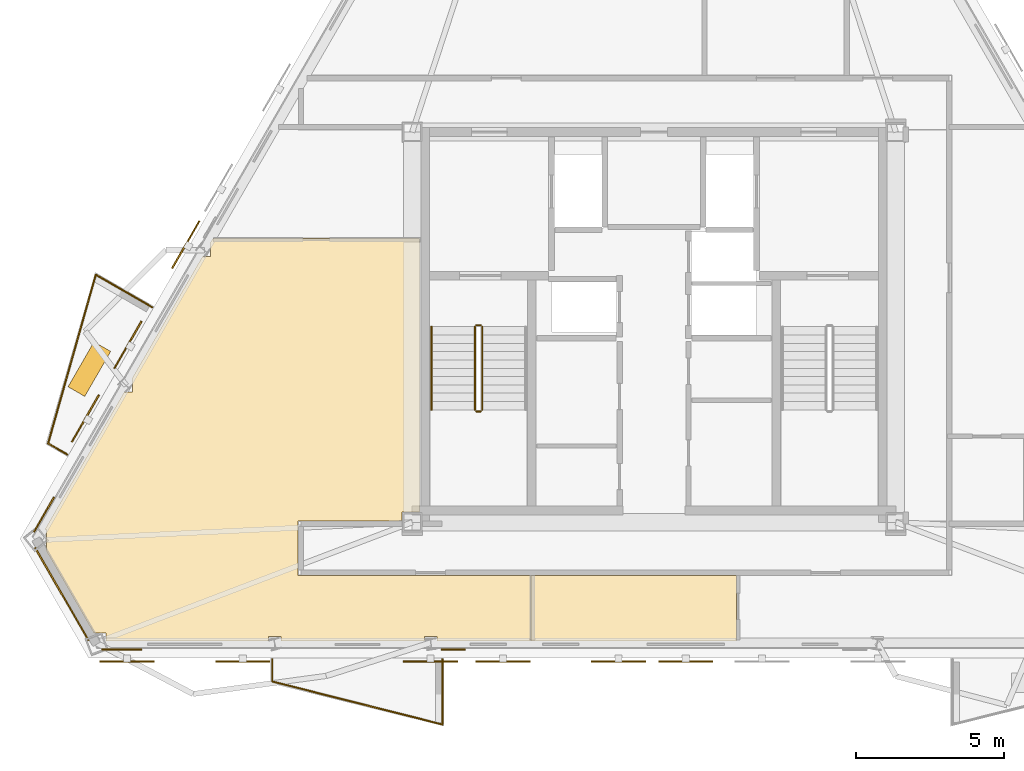
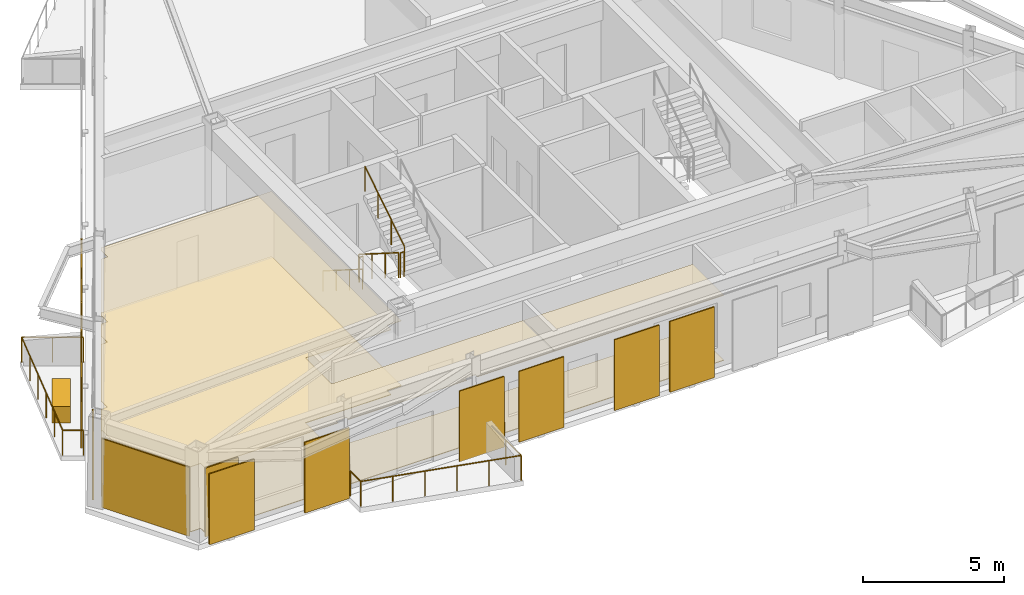
# One storey, part 6 of 9: 11 railings, 9 coverings, 9 shading devices.
"""IFC4 building model written with IfcOpenShell, lengths in metres."""

from ifc_helpers import new_model, si_unit, direction, frame, origin, origin_2d, place, context, subcontext, project, spatial, polyline, rectangle, circle, outline, extrude, material, layer, layer_set, type_object, element, save


model = new_model("IFC4")

# Units and contexts
model_context = context("Model", 3, precision=1e-05, world=origin(), true_north=direction((0.0, 1.0)))
body_context = subcontext(model_context, "Body", "Model", "MODEL_VIEW")
ifc_project = project(units=[si_unit("LENGTHUNIT", "METRE"), si_unit("AREAUNIT", "SQUARE_METRE"), si_unit("VOLUMEUNIT", "CUBIC_METRE"), si_unit("PLANEANGLEUNIT", "RADIAN"), si_unit("MASSUNIT", "GRAM", prefix="KILO")], contexts=[model_context])

# Site, building, storey
site_placement = place(None, origin())
site = spatial("IfcSite", under=ifc_project, at=site_placement, CompositionType="ELEMENT")
building_placement = place(site_placement, origin())
building = spatial("IfcBuilding", under=site, at=building_placement, Name="Oramaril Tower", CompositionType="ELEMENT")
storey_placement = place(building_placement, frame((0.0, 0.0, 292.800048828125)))
storey = spatial("IfcBuildingStorey", under=building, at=storey_placement, Name="L77", CompositionType="ELEMENT", Elevation=292.800048828125)

# Coverings
ifc_material_1 = material(Name="Mineral Fibre Acoustic Ceiling")
ifc_layer_1 = layer(ifc_material_1, 0.02001953125)
ifc_layer_set_1 = layer_set([ifc_layer_1], Name="CVT-CEIL")
covering_type_1 = type_object("IfcCoveringType", Name="CVT-CEIL", PredefinedType="CEILING", material=ifc_layer_set_1)
covering_1_placement = place(storey_placement, frame((0.0, 0.0, 2.81201171875)))
element("IfcCovering", 1, at=covering_1_placement, inside=storey, type_object=covering_type_1, Name="L77 Acoustic Suspended Ceiling 6", PredefinedType="CEILING", context=body_context, shape_type="SweptSolid", body=[
    extrude(outline(polyline([(33.35791015625, 6.99267578125), (33.35791015625, 9.199951171875), (40.27197265625, 9.199951171875), (40.27197265625, 6.99267578125), (33.35791015625, 6.99267578125)])), origin(), (0.0, 0.0, 1.0), 0.02001953125),
])
covering_2_placement = place(storey_placement, frame((0.0, 0.0, 2.81201171875)))
element("IfcCovering", 2, at=covering_2_placement, inside=storey, type_object=covering_type_1, Name="L77 Acoustic Suspended Ceiling 7", PredefinedType="CEILING", context=body_context, shape_type="SweptSolid", body=[
    extrude(outline(polyline([(19.91650390625, 15.3974609375), (19.91650390625, 15.851806640625), (19.912109375, 15.851806640625), (22.282958984375, 19.9580078125), (22.54931640625, 19.9580078125), (22.54931640625, 20.40673828125), (22.5419921875, 20.40673828125), (22.6298828125, 20.55908203125), (29.60009765625, 20.55908203125), (29.60009765625, 11.344970703125), (29.0048828125, 11.344970703125), (29.0048828125, 11.050048828125), (25.52001953125, 11.050048828125), (25.51806640625, 11.0498046875), (25.51611328125, 11.049560546875), (25.51416015625, 11.049072265625), (25.51220703125, 11.048583984375), (25.510498046875, 11.047607421875), (25.5087890625, 11.046630859375), (25.50732421875, 11.04541015625), (25.505859375, 11.044189453125), (25.50439453125, 11.042724609375), (25.50341796875, 11.041015625), (25.50244140625, 11.039306640625), (25.50146484375, 11.03759765625), (25.5009765625, 11.035888671875), (25.50048828125, 11.033935546875), (25.5, 11.031982421875), (25.5, 11.030029296875), (25.5, 9.219970703125), (25.5, 9.218017578125), (25.50048828125, 9.216064453125), (25.5009765625, 9.214111328125), (25.50146484375, 9.21240234375), (25.50244140625, 9.210693359375), (25.50341796875, 9.208984375), (25.50439453125, 9.207275390625), (25.505859375, 9.205810546875), (25.50732421875, 9.20458984375), (25.5087890625, 9.203369140625), (25.510498046875, 9.202392578125), (25.51220703125, 9.201416015625), (25.51416015625, 9.200927734375), (25.51611328125, 9.200439453125), (25.51806640625, 9.2001953125), (25.52001953125, 9.199951171875), (33.337890625, 9.199951171875), (33.337890625, 6.99267578125), (30.1923828125, 6.99267578125), (30.1923828125, 7.14794921875), (29.770751953125, 7.14794921875), (29.770751953125, 6.99267578125), (24.9326171875, 6.99267578125), (24.9326171875, 7.14794921875), (24.504638671875, 7.14794921875), (24.504638671875, 6.99267578125), (19.034912109375, 6.99267578125), (19.034912109375, 7.261474609375), (18.6220703125, 7.261474609375), (16.99951171875, 10.072021484375), (17.020751953125, 10.072021484375), (17.020751953125, 10.75927734375), (16.97216796875, 10.75927734375), (19.64990234375, 15.3974609375), (19.91650390625, 15.3974609375)])), origin(), (0.0, 0.0, 1.0), 0.02001953125),
])
ifc_material_2 = material(Name="Warm Cream Limestone", Category="masonry")
ifc_layer_2 = layer(ifc_material_2, 0.050048828125)
ifc_layer_set_2 = layer_set([ifc_layer_2], Name="CVT-CLD")
covering_type_2 = type_object("IfcCoveringType", Name="CVT-CLD", PredefinedType="CLADDING", material=ifc_layer_set_2)
covering_3_placement = place(storey_placement, frame((17.543212890625, 8.577880859375, 0.0400390625), z_axis=(0.0, 0.0, 1.0), x_axis=(0.4999984885, -0.866026276448, 0.0)))
element("IfcCovering", 3, at=covering_3_placement, inside=storey, type_object=covering_type_2, Name="L77 Warm Cream Limestone Cladding", PredefinedType="CLADDING", context=body_context, shape_type="SweptSolid", body=[
    extrude(rectangle(XDim=3.6044921875, YDim=0.050048828125, at=origin_2d()), origin(), (0.0, 0.0, 1.0), 2.97802734375),
])
covering_4_placement = place(storey_placement, frame((19.56494140625, 6.716552734375, 0.0400390625), z_axis=(0.0, 0.0, 1.0), x_axis=(1.0, 0.0, 0.0)))
element("IfcCovering", 4, at=covering_4_placement, inside=storey, type_object=covering_type_2, Name="L77 Warm Cream Limestone Cladding", PredefinedType="CLADDING", context=body_context, shape_type="SweptSolid", body=[
    extrude(rectangle(XDim=1.35009765625, YDim=0.050048828125, at=origin_2d()), origin(), (0.0, 0.0, 1.0), 2.97802734375),
])
covering_5_placement = place(storey_placement, frame((30.7373046875, 6.716552734375, 0.0400390625), z_axis=(0.0, 0.0, 1.0), x_axis=(1.0, 0.0, 0.0)))
element("IfcCovering", 5, at=covering_5_placement, inside=storey, type_object=covering_type_2, Name="L77 Warm Cream Limestone Spandrel Cladding", PredefinedType="CLADDING", context=body_context, shape_type="SweptSolid", body=[
    extrude(rectangle(XDim=0.800048828125, YDim=0.050048828125, at=origin_2d()), origin(), (0.0, 0.0, 1.0), 0.679931640625),
])
covering_6_placement = place(storey_placement, frame((16.942138671875, 11.259521484375, 0.0400390625), z_axis=(0.0, 0.0, 1.0), x_axis=(-0.5, -0.866025403784, 0.0)))
element("IfcCovering", 6, at=covering_6_placement, inside=storey, type_object=covering_type_2, Name="L77 Warm Cream Limestone Cladding", PredefinedType="CLADDING", context=body_context, shape_type="SweptSolid", body=[
    extrude(rectangle(XDim=1.35009765625, YDim=0.050048828125, at=origin_2d()), origin(), (0.0, 0.0, 1.0), 2.97802734375),
])
covering_7_placement = place(storey_placement, frame((18.469482421875, 16.161865234375, 0.0), z_axis=(0.0, 0.0, 1.0), x_axis=(-0.5, -0.866025403784, 0.0)))
element("IfcCovering", 7, at=covering_7_placement, inside=storey, type_object=covering_type_2, Name="L77 Structural Tree Planter Box L77-BAL-NW2", PredefinedType="CLADDING", context=body_context, shape_type="SweptSolid", body=[
    extrude(rectangle(XDim=1.75, YDim=0.64990234375, at=origin_2d()), origin(), (0.0, 0.0, 1.0), 0.699951171875),
])
ifc_material_3 = material(Name="Honed Quartzite Stone Flooring", Category="masonry")
ifc_layer_3 = layer(ifc_material_3, 0.02490234375)
ifc_layer_set_3 = layer_set([ifc_layer_3], Name="CVT-FLR")
covering_type_3 = type_object("IfcCoveringType", Name="CVT-FLR", PredefinedType="FLOORING", material=ifc_layer_set_3)
covering_8_placement = place(storey_placement, origin())
element("IfcCovering", 8, at=covering_8_placement, inside=storey, type_object=covering_type_3, Name="L77 Honed Stone Floor Finish 6", PredefinedType="FLOORING", context=body_context, shape_type="SweptSolid", body=[
    extrude(outline(polyline([(33.35791015625, 6.99267578125), (33.35791015625, 9.199951171875), (40.27197265625, 9.199951171875), (40.27197265625, 6.99267578125), (33.35791015625, 6.99267578125)])), origin(), (0.0, 0.0, 1.0), 0.02490234375),
])
covering_9_placement = place(storey_placement, origin())
element("IfcCovering", 9, at=covering_9_placement, inside=storey, type_object=covering_type_3, Name="L77 Honed Stone Floor Finish 7", PredefinedType="FLOORING", context=body_context, shape_type="SweptSolid", body=[
    extrude(outline(polyline([(19.91650390625, 15.3974609375), (19.91650390625, 15.851806640625), (19.912109375, 15.851806640625), (22.282958984375, 19.9580078125), (22.54931640625, 19.9580078125), (22.54931640625, 20.40673828125), (22.5419921875, 20.40673828125), (22.6298828125, 20.55908203125), (29.60009765625, 20.55908203125), (29.60009765625, 11.344970703125), (29.0048828125, 11.344970703125), (29.0048828125, 11.050048828125), (25.52001953125, 11.050048828125), (25.51806640625, 11.0498046875), (25.51611328125, 11.049560546875), (25.51416015625, 11.049072265625), (25.51220703125, 11.048583984375), (25.510498046875, 11.047607421875), (25.5087890625, 11.046630859375), (25.50732421875, 11.04541015625), (25.505859375, 11.044189453125), (25.50439453125, 11.042724609375), (25.50341796875, 11.041015625), (25.50244140625, 11.039306640625), (25.50146484375, 11.03759765625), (25.5009765625, 11.035888671875), (25.50048828125, 11.033935546875), (25.5, 11.031982421875), (25.5, 11.030029296875), (25.5, 9.219970703125), (25.5, 9.218017578125), (25.50048828125, 9.216064453125), (25.5009765625, 9.214111328125), (25.50146484375, 9.21240234375), (25.50244140625, 9.210693359375), (25.50341796875, 9.208984375), (25.50439453125, 9.207275390625), (25.505859375, 9.205810546875), (25.50732421875, 9.20458984375), (25.5087890625, 9.203369140625), (25.510498046875, 9.202392578125), (25.51220703125, 9.201416015625), (25.51416015625, 9.200927734375), (25.51611328125, 9.200439453125), (25.51806640625, 9.2001953125), (25.52001953125, 9.199951171875), (33.337890625, 9.199951171875), (33.337890625, 6.99267578125), (30.1923828125, 6.99267578125), (30.1923828125, 7.14794921875), (29.770751953125, 7.14794921875), (29.770751953125, 6.99267578125), (24.9326171875, 6.99267578125), (24.9326171875, 7.14794921875), (24.504638671875, 7.14794921875), (24.504638671875, 6.99267578125), (19.034912109375, 6.99267578125), (19.034912109375, 7.261474609375), (18.6220703125, 7.261474609375), (16.99951171875, 10.072021484375), (17.020751953125, 10.072021484375), (17.020751953125, 10.75927734375), (16.97216796875, 10.75927734375), (19.64990234375, 15.3974609375), (19.91650390625, 15.3974609375)])), origin(), (0.0, 0.0, 1.0), 0.02490234375),
])

# Railings
ifc_material_4 = material(Name="Stainless Steel 316L", Category="steel")
railing_type_1 = type_object("IfcRailingType", Name="RLT-GRD", PredefinedType="GUARDRAIL", material=ifc_material_4)
railing_1_placement = place(storey_placement, frame((30.3642578125, 6.376708984375, 0.0)))
element("IfcRailing", 10, at=railing_1_placement, inside=storey, type_object=railing_type_1, Name="L77 Balcony Guardrail L77-BAL-S1.1", PredefinedType="GUARDRAIL", context=body_context, shape_type="SweptSolid", body=[
    extrude(circle(Radius=0.02392578125, at=origin_2d()), frame((0.0, 0.0, 1.076171875), z_axis=(0.0, -1.0, 0.0), x_axis=(1.0, 0.0, 0.0)), (0.0, 0.0, 1.0), 2.192138671875),
    extrude(circle(Radius=0.02099609375, at=origin_2d()), origin(), (0.0, 0.0, 1.0), 1.052001953125),
    extrude(circle(Radius=0.02099609375, at=origin_2d()), frame((0.0, -1.09619140625, 0.0)), (0.0, 0.0, 1.0), 1.052001953125),
    extrude(circle(Radius=0.02099609375, at=origin_2d()), frame((0.0, -2.192138671875, 0.0)), (0.0, 0.0, 1.0), 1.052001953125),
])
railing_2_placement = place(storey_placement, frame((30.3642578125, 4.1845703125, 0.0)))
element("IfcRailing", 11, at=railing_2_placement, inside=storey, type_object=railing_type_1, Name="L77 Balcony Guardrail L77-BAL-S1.2", PredefinedType="GUARDRAIL", context=body_context, shape_type="SweptSolid", body=[
    extrude(circle(Radius=0.02392578125, at=origin_2d()), frame((0.0, 0.0, 1.076171875), z_axis=(-0.969443611257, 0.245314256807, 0.0), x_axis=(-0.245314256807, -0.969443611257, 0.0)), (0.0, 0.0, 1.0), 5.91064453125),
    extrude(circle(Radius=0.02099609375, at=origin_2d()), origin(), (0.0, 0.0, 1.0), 1.052001953125),
    extrude(circle(Radius=0.02099609375, at=origin_2d()), frame((-1.14599609375, 0.2900390625, 0.0)), (0.0, 0.0, 1.0), 1.052001953125),
    extrude(circle(Radius=0.02099609375, at=origin_2d()), frame((-2.2919921875, 0.580078125, 0.0)), (0.0, 0.0, 1.0), 1.052001953125),
    extrude(circle(Radius=0.02099609375, at=origin_2d()), frame((-3.43798828125, 0.869873046875, 0.0)), (0.0, 0.0, 1.0), 1.052001953125),
    extrude(circle(Radius=0.02099609375, at=origin_2d()), frame((-4.583984375, 1.159912109375, 0.0)), (0.0, 0.0, 1.0), 1.052001953125),
    extrude(circle(Radius=0.02099609375, at=origin_2d()), frame((-5.72998046875, 1.449951171875, 0.0)), (0.0, 0.0, 1.0), 1.052001953125),
])
railing_3_placement = place(storey_placement, frame((24.63427734375, 5.634521484375, 0.0)))
element("IfcRailing", 12, at=railing_3_placement, inside=storey, type_object=railing_type_1, Name="L77 Balcony Guardrail L77-BAL-S1.3", PredefinedType="GUARDRAIL", context=body_context, shape_type="SweptSolid", body=[
    extrude(circle(Radius=0.02392578125, at=origin_2d()), frame((0.0, 0.0, 1.076171875), z_axis=(0.0, 1.0, 0.0), x_axis=(-1.0, 0.0, 0.0)), (0.0, 0.0, 1.0), 0.7421875),
    extrude(circle(Radius=0.02099609375, at=origin_2d()), origin(), (0.0, 0.0, 1.0), 1.052001953125),
    extrude(circle(Radius=0.02099609375, at=origin_2d()), frame((0.0, 0.7421875, 0.0)), (0.0, 0.0, 1.0), 1.052001953125),
])
railing_4_placement = place(storey_placement, frame((17.7197265625, 13.28662109375, 0.0)))
element("IfcRailing", 13, at=railing_4_placement, inside=storey, type_object=railing_type_1, Name="L77 Balcony Guardrail L77-BAL-NW2.1", PredefinedType="GUARDRAIL", context=body_context, shape_type="SweptSolid", body=[
    extrude(circle(Radius=0.02392578125, at=origin_2d()), frame((0.0, 0.0, 1.076171875), z_axis=(-0.865884080729, 0.500244698863, 0.0), x_axis=(-0.500244698863, -0.865884080729, 0.0)), (0.0, 0.0, 1.0), 0.741943359375),
    extrude(circle(Radius=0.02099609375, at=origin_2d()), origin(), (0.0, 0.0, 1.0), 1.052001953125),
    extrude(circle(Radius=0.02099609375, at=origin_2d()), frame((-0.642333984375, 0.37109375, 0.0)), (0.0, 0.0, 1.0), 1.052001953125),
])
railing_5_placement = place(storey_placement, frame((17.077392578125, 13.65771484375, 0.0)))
element("IfcRailing", 14, at=railing_5_placement, inside=storey, type_object=railing_type_1, Name="L77 Balcony Guardrail L77-BAL-NW2.2", PredefinedType="GUARDRAIL", context=body_context, shape_type="SweptSolid", body=[
    extrude(circle(Radius=0.02392578125, at=origin_2d()), frame((0.0, 0.0, 1.076171875), z_axis=(0.272259686627, 0.962223811303, 0.0), x_axis=(-0.962223811303, 0.272259686627, 0.0)), (0.0, 0.0, 1.0), 5.910400390625),
    extrude(circle(Radius=0.02099609375, at=origin_2d()), origin(), (0.0, 0.0, 1.0), 1.052001953125),
    extrude(circle(Radius=0.02099609375, at=origin_2d()), frame((0.32177734375, 1.137451171875, 0.0)), (0.0, 0.0, 1.0), 1.052001953125),
    extrude(circle(Radius=0.02099609375, at=origin_2d()), frame((0.6435546875, 2.27490234375, 0.0)), (0.0, 0.0, 1.0), 1.052001953125),
    extrude(circle(Radius=0.02099609375, at=origin_2d()), frame((0.965576171875, 3.412109375, 0.0)), (0.0, 0.0, 1.0), 1.052001953125),
    extrude(circle(Radius=0.02099609375, at=origin_2d()), frame((1.287353515625, 4.549560546875, 0.0)), (0.0, 0.0, 1.0), 1.052001953125),
    extrude(circle(Radius=0.02099609375, at=origin_2d()), frame((1.609130859375, 5.68701171875, 0.0)), (0.0, 0.0, 1.0), 1.052001953125),
])
railing_6_placement = place(storey_placement, frame((18.6865234375, 19.3447265625, 0.0)))
element("IfcRailing", 15, at=railing_6_placement, inside=storey, type_object=railing_type_1, Name="L77 Balcony Guardrail L77-BAL-NW2.3", PredefinedType="GUARDRAIL", context=body_context, shape_type="SweptSolid", body=[
    extrude(circle(Radius=0.02392578125, at=origin_2d()), frame((0.0, 0.0, 1.076171875), z_axis=(0.866020500697, -0.5000084923, 0.0), x_axis=(0.5000084923, 0.866020500697, 0.0)), (0.0, 0.0, 1.0), 2.19189453125),
    extrude(circle(Radius=0.02099609375, at=origin_2d()), origin(), (0.0, 0.0, 1.0), 1.052001953125),
    extrude(circle(Radius=0.02099609375, at=origin_2d()), frame((0.94921875, -0.5478515625, 0.0)), (0.0, 0.0, 1.0), 1.052001953125),
    extrude(circle(Radius=0.02099609375, at=origin_2d()), frame((1.898193359375, -1.095947265625, 0.0)), (0.0, 0.0, 1.0), 1.052001953125),
])
railing_7_placement = place(storey_placement, frame((31.4599609375, 17.590087890625, 0.17724609375)))
element("IfcRailing", 16, at=railing_7_placement, inside=storey, type_object=railing_type_1, Name="L77 ST-1 stair guard 1", PredefinedType="GUARDRAIL", context=body_context, shape_type="SweptSolid", body=[
    extrude(circle(Radius=0.02392578125, at=origin_2d()), frame((0.0, 0.0, 1.076171875), z_axis=(0.0, -0.844908973607, 0.534910110503), x_axis=(1.0, 0.0, 0.0)), (0.0, 0.0, 1.0), 3.31396484375),
    extrude(circle(Radius=0.02099609375, at=origin_2d()), origin(), (0.0, 0.0, 1.0), 1.052001953125),
    extrude(circle(Radius=0.02099609375, at=origin_2d()), frame((0.0, -0.933349609375, 0.5908203125)), (0.0, 0.0, 1.0), 1.052001953125),
    extrude(circle(Radius=0.02099609375, at=origin_2d()), frame((0.0, -1.86669921875, 1.181884765625)), (0.0, 0.0, 1.0), 1.052001953125),
    extrude(circle(Radius=0.02099609375, at=origin_2d()), frame((0.0, -2.800048828125, 1.772705078125)), (0.0, 0.0, 1.0), 1.052001953125),
])
railing_8_placement = place(storey_placement, frame((31.510009765625, 14.739990234375, 1.949951171875)))
element("IfcRailing", 17, at=railing_8_placement, inside=storey, type_object=railing_type_1, Name="L77 ST-1 stair guard 2", PredefinedType="GUARDRAIL", context=body_context, shape_type="SweptSolid", body=[
    extrude(circle(Radius=0.02392578125, at=origin_2d()), frame((0.0, 0.0, 1.076171875), z_axis=(1.0, 0.0, 0.0), x_axis=(0.0, 1.0, 0.0)), (0.0, 0.0, 1.0), 0.14990234375),
    extrude(circle(Radius=0.02099609375, at=origin_2d()), origin(), (0.0, 0.0, 1.0), 1.052001953125),
    extrude(circle(Radius=0.02099609375, at=origin_2d()), frame((0.14990234375, 0.0, 0.0)), (0.0, 0.0, 1.0), 1.052001953125),
])
railing_9_placement = place(storey_placement, frame((31.7099609375, 14.7900390625, 2.127197265625)))
element("IfcRailing", 18, at=railing_9_placement, inside=storey, type_object=railing_type_1, Name="L77 ST-1 stair guard 3", PredefinedType="GUARDRAIL", context=body_context, shape_type="SweptSolid", body=[
    extrude(circle(Radius=0.02392578125, at=origin_2d()), frame((0.0, 0.0, 1.076171875), z_axis=(0.0, 0.844908973607, 0.534910110503), x_axis=(-1.0, 0.0, 0.0)), (0.0, 0.0, 1.0), 3.31396484375),
    extrude(circle(Radius=0.02099609375, at=origin_2d()), origin(), (0.0, 0.0, 1.0), 1.052001953125),
    extrude(circle(Radius=0.02099609375, at=origin_2d()), frame((0.0, 0.933349609375, 0.5908203125)), (0.0, 0.0, 1.0), 1.052001953125),
    extrude(circle(Radius=0.02099609375, at=origin_2d()), frame((0.0, 1.86669921875, 1.181884765625)), (0.0, 0.0, 1.0), 1.052001953125),
    extrude(circle(Radius=0.02099609375, at=origin_2d()), frame((0.0, 2.800048828125, 1.772705078125)), (0.0, 0.0, 1.0), 1.052001953125),
])
railing_10_placement = place(storey_placement, frame((31.510009765625, 17.639892578125, 0.0)))
element("IfcRailing", 19, at=railing_10_placement, inside=storey, type_object=railing_type_1, Name="L77 ST-1 stair guard 4", PredefinedType="GUARDRAIL", context=body_context, shape_type="SweptSolid", body=[
    extrude(circle(Radius=0.02392578125, at=origin_2d()), frame((0.0, 0.0, 1.076171875), z_axis=(1.0, 0.0, 0.0), x_axis=(0.0, 1.0, 0.0)), (0.0, 0.0, 1.0), 0.14990234375),
    extrude(circle(Radius=0.02099609375, at=origin_2d()), origin(), (0.0, 0.0, 1.0), 1.052001953125),
    extrude(circle(Radius=0.02099609375, at=origin_2d()), frame((0.14990234375, 0.0, 0.0)), (0.0, 0.0, 1.0), 1.052001953125),
])
ifc_material_5 = material(Name="Stainless Steel 316L", Category="steel")
railing_type_2 = type_object("IfcRailingType", Name="RLT-HND", PredefinedType="HANDRAIL", material=ifc_material_5)
railing_11_placement = place(storey_placement, frame((30.0, 17.590087890625, 0.17724609375)))
element("IfcRailing", 20, at=railing_11_placement, inside=storey, type_object=railing_type_2, Name="L77 ST-1 stair handrail 1", PredefinedType="HANDRAIL", context=body_context, shape_type="SweptSolid", body=[
    extrude(circle(Radius=0.02392578125, at=origin_2d()), frame((0.0, 0.0, 0.8759765625), z_axis=(0.0, -0.844908973607, 0.534910110503), x_axis=(1.0, 0.0, 0.0)), (0.0, 0.0, 1.0), 3.31396484375),
    extrude(circle(Radius=0.02099609375, at=origin_2d()), origin(), (0.0, 0.0, 1.0), 0.851806640625),
    extrude(circle(Radius=0.02099609375, at=origin_2d()), frame((0.0, -0.933349609375, 0.5908203125)), (0.0, 0.0, 1.0), 0.851806640625),
    extrude(circle(Radius=0.02099609375, at=origin_2d()), frame((0.0, -1.86669921875, 1.181884765625)), (0.0, 0.0, 1.0), 0.851806640625),
    extrude(circle(Radius=0.02099609375, at=origin_2d()), frame((0.0, -2.800048828125, 1.772705078125)), (0.0, 0.0, 1.0), 0.851806640625),
])

# Shading devices
for number, where, z_axis, x_axis, name in (
    (21, (32.407470703125, 6.3046875, -0.02001953125), (0.0, 0.0, 1.0), (1.0, 0.0, 0.0), "L77 Perforated Ceramic Solar Screen"),
    (22, (36.307373046875, 6.3046875, -0.02001953125), (0.0, 0.0, 1.0), (1.0, 0.0, 0.0), "L77 Perforated Ceramic Solar Screen"),
    (23, (38.56884765625, 6.3046875, -0.02001953125), (0.0, 0.0, 1.0), (1.0, 0.0, 0.0), "L77 Perforated Ceramic Solar Screen"),
    (24, (19.73828125, 6.3046875, -0.02001953125), (0.0, 0.0, 1.0), (1.0, 0.0, 0.0), "L77 Perforated Ceramic Solar Screen"),
    (25, (23.63818359375, 6.3046875, -0.02001953125), (0.0, 0.0, 1.0), (1.0, 0.0, 0.0), "L77 Perforated Ceramic Solar Screen"),
    (26, (29.96435546875, 6.3046875, -0.02001953125), (0.0, 0.0, 1.0), (1.0, 0.0, 0.0), "L77 Perforated Ceramic Solar Screen"),
    (27, (21.719482421875, 20.35791015625, -0.02001953125), (0.0, 0.0, 1.0), (-0.5, -0.866025403784, 0.0), "L77 Perforated Ceramic Solar Screen"),
    (28, (19.769287109375, 16.98046875, -0.02001953125), (0.0, 0.0, 1.0), (-0.5, -0.866025403784, 0.0), "L77 Perforated Ceramic Solar Screen"),
    (29, (18.337158203125, 14.499755859375, -0.02001953125), (0.0, 0.0, 1.0), (-0.5, -0.866025403784, 0.0), "L77 Perforated Ceramic Solar Screen"),
):
    element("IfcShadingDevice", number, at=place(storey_placement, frame(where, z_axis=z_axis, x_axis=x_axis)), inside=storey, Name=name, ObjectType="SCREEN", PredefinedType="USERDEFINED", context=body_context, shape_type="SweptSolid", body=[
        extrude(rectangle(XDim=1.8330078125, YDim=0.050048828125, at=origin_2d()), origin(), (0.0, 0.0, 1.0), 3.05810546875),
    ])

save(model, "model.ifc")
